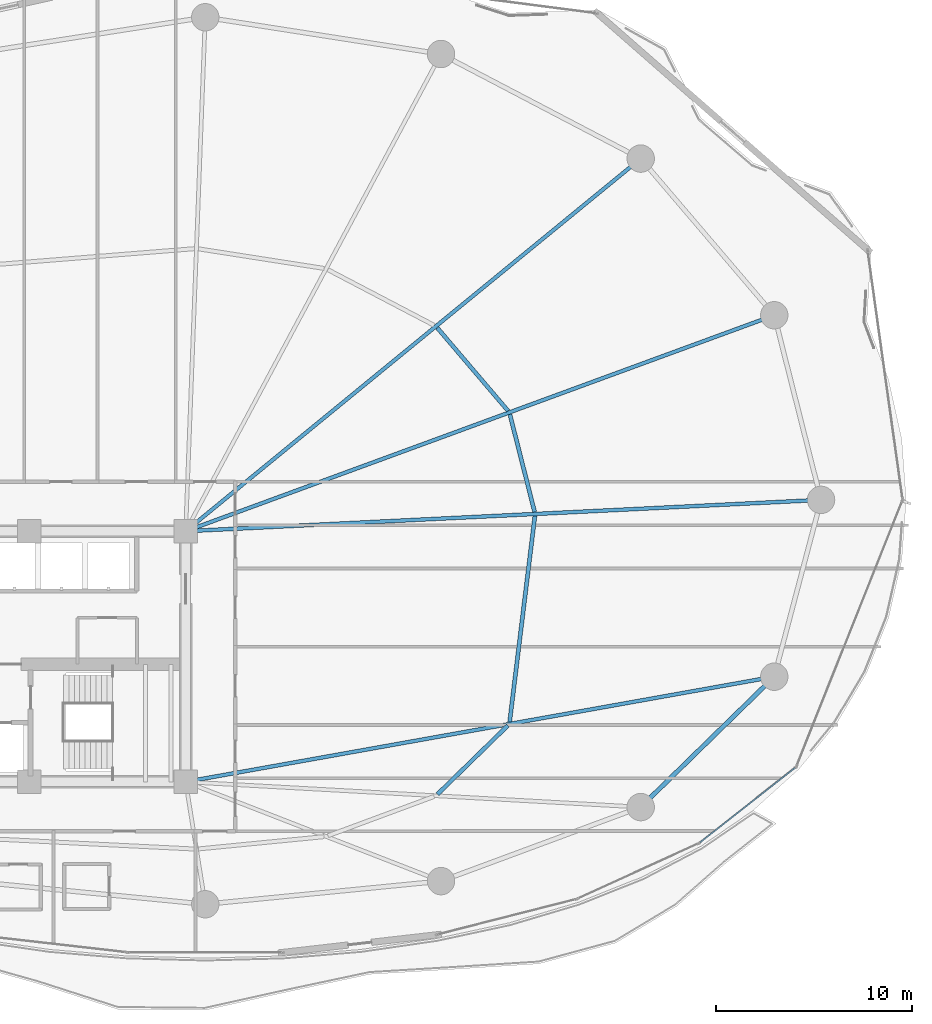
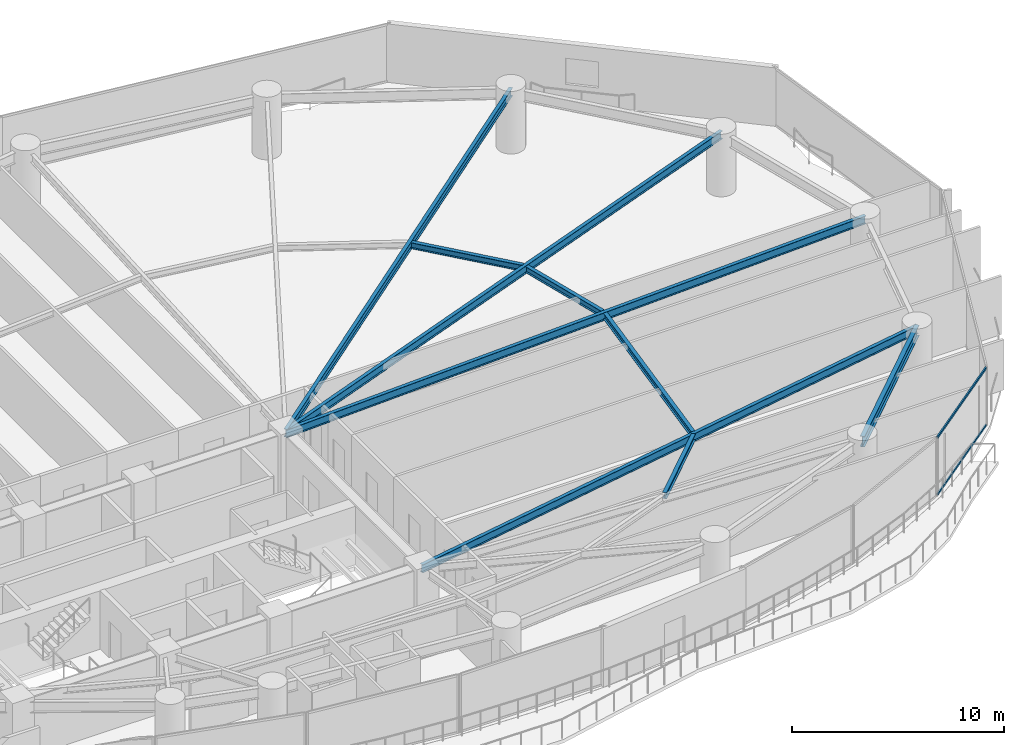
# One storey, part 14 of 32: 9 beams, 2 members, 1 element without a shape of its own.
"""IFC4 building model written with IfcOpenShell, lengths in metres."""

from ifc_helpers import new_model, si_unit, direction, frame, origin, origin_2d, place, context, subcontext, project, spatial, hollow_rectangle, i_section, extrude, material, layer, layer_set, material_profile, profile_set, type_object, element, aggregate, save


model = new_model("IFC4")

# Units and contexts
model_context = context("Model", 3, precision=1e-05, world=origin(), true_north=direction((0.0, 1.0)))
body_context = subcontext(model_context, "Body", "Model", "MODEL_VIEW")
ifc_project = project(units=[si_unit("LENGTHUNIT", "METRE"), si_unit("AREAUNIT", "SQUARE_METRE"), si_unit("VOLUMEUNIT", "CUBIC_METRE"), si_unit("PLANEANGLEUNIT", "RADIAN"), si_unit("MASSUNIT", "GRAM", prefix="KILO")], contexts=[model_context])

# Site, building, storey
site_placement = place(None, origin())
site = spatial("IfcSite", under=ifc_project, at=site_placement, CompositionType="ELEMENT")
building_placement = place(site_placement, origin())
building = spatial("IfcBuilding", under=site, at=building_placement, Name="Kazevale Care Tower and Concert Hall", CompositionType="ELEMENT")
storey_placement = place(building_placement, frame((0.0, 0.0, 38.39990234375)))
storey = spatial("IfcBuildingStorey", under=building, at=storey_placement, Name="L09", CompositionType="ELEMENT", Elevation=38.39990234375)

# Curtain wall, members
ifc_material_1 = material(Name="Aluminium 6063-T6 and Low-E Glass", Category="aluminium")
ifc_layer = layer(ifc_material_1, 0.179931640625)
ifc_layer_set = layer_set([ifc_layer], Name="Aluminium 6063-T6 and Low-E Glass")
curtain_wall_type = type_object("IfcCurtainWallType", Name="Sheltered Concave Balcony Curtain Wall CW-5", PredefinedType="NOTDEFINED", material=ifc_layer_set)
curtain_wall_placement = place(storey_placement, origin())
curtain_wall = element("IfcCurtainWall", 1, at=curtain_wall_placement, inside=storey, type_object=curtain_wall_type, Name="cw:L09:f02", PredefinedType="NOTDEFINED")
ifc_material_2 = material(Name="Aluminium 6063-T6", Category="aluminium")
ifc_material_profile_1 = material_profile(ifc_material_2, hollow_rectangle(XDim=0.074951171875, YDim=0.1201171875, WallThickness=0.00390625, at=origin_2d()), Name="ALU75x120x4")
ifc_profile_set_1 = profile_set([ifc_material_profile_1], Name="Aluminium 6063-T6")
member_type = type_object("IfcMemberType", Name="CW-5 Transom ALU75x120x4", PredefinedType="USERDEFINED", material=ifc_profile_set_1)
member_1_placement = place(storey_placement, frame((75.123046875, 24.317626953125, 0.03759765625), z_axis=(-0.78633897536, -0.617795286344, 0.0), x_axis=(0.617795286344, -0.78633897536, 0.0)))
member_1 = element("IfcMember", 2, at=member_1_placement, type_object=member_type, Name="CW-5 transom 1.1", ObjectType="TRANSOM", PredefinedType="USERDEFINED", context=body_context, shape_type="SweptSolid", body=[
    extrude(hollow_rectangle(XDim=0.074951171875, YDim=0.1201171875, WallThickness=0.00390625, at=origin_2d()), origin(), (0.0, 0.0, 1.0), 6.15771484375),
])
member_2_placement = place(storey_placement, frame((75.123046875, 24.317626953125, 3.322509765625), z_axis=(-0.78633897536, -0.617795286344, 0.0), x_axis=(0.617795286344, -0.78633897536, 0.0)))
member_2 = element("IfcMember", 3, at=member_2_placement, type_object=member_type, Name="CW-5 transom 1.2", ObjectType="TRANSOM", PredefinedType="USERDEFINED", context=body_context, shape_type="SweptSolid", body=[
    extrude(hollow_rectangle(XDim=0.074951171875, YDim=0.1201171875, WallThickness=0.00390625, at=origin_2d()), origin(), (0.0, 0.0, 1.0), 6.15771484375),
])
aggregate(curtain_wall, [member_1, member_2])

# Beams
ifc_material_3 = material(Name="Steel ASTM A572 Gr 50", Category="steel")
ifc_material_profile_2 = material_profile(ifc_material_3, i_section(OverallWidth=0.19091796875, OverallDepth=0.4599609375, WebThickness=0.010009765625, FlangeThickness=0.01611328125, at=origin_2d()), Name="W460x82")
ifc_profile_set_2 = profile_set([ifc_material_profile_2], Name="Steel ASTM A572 Gr 50")
beam_type_1 = type_object("IfcBeamType", Name="Radial Floor Beam W460x82", PredefinedType="BEAM", material=ifc_profile_set_2)
beam_1_placement = place(storey_placement, frame((44.0, 36.39990234375, 3.130126953125), z_axis=(0.998786488782, 0.049249871327, 0.0), x_axis=(-0.049249871327, 0.998786488782, 0.0)))
element("IfcBeam", 4, at=beam_1_placement, inside=storey, type_object=beam_type_1, Name="beam:L09:rad:01", PredefinedType="BEAM", context=body_context, shape_type="SweptSolid", body=[
    extrude(i_section(OverallWidth=0.19091796875, OverallDepth=0.4599609375, WebThickness=0.010009765625, FlangeThickness=0.01611328125, at=origin_2d()), origin(), (0.0, 0.0, 1.0), 32.4892578125),
])
beam_2_placement = place(storey_placement, frame((44.0, 36.39990234375, 3.130126953125), z_axis=(0.938795458019, 0.34447509054, 0.0), x_axis=(-0.34447509054, 0.938795458019, 0.0)))
element("IfcBeam", 5, at=beam_2_placement, inside=storey, type_object=beam_type_1, Name="beam:L09:rad:02", PredefinedType="BEAM", context=body_context, shape_type="SweptSolid", body=[
    extrude(i_section(OverallWidth=0.19091796875, OverallDepth=0.4599609375, WebThickness=0.010009765625, FlangeThickness=0.01611328125, at=origin_2d()), origin(), (0.0, 0.0, 1.0), 32.019775390625),
])
beam_3_placement = place(storey_placement, frame((44.0, 36.39990234375, 3.130126953125), z_axis=(0.773704467398, 0.633546681097, 0.0), x_axis=(-0.633546681097, 0.773704467398, 0.0)))
element("IfcBeam", 6, at=beam_3_placement, inside=storey, type_object=beam_type_1, Name="beam:L09:rad:03", PredefinedType="BEAM", context=body_context, shape_type="SweptSolid", body=[
    extrude(i_section(OverallWidth=0.19091796875, OverallDepth=0.4599609375, WebThickness=0.010009765625, FlangeThickness=0.01611328125, at=origin_2d()), origin(), (0.0, 0.0, 1.0), 30.037353515625),
])
beam_4_placement = place(storey_placement, frame((44.0, 23.60009765625, 3.130126953125), z_axis=(0.984416208219, 0.175854283415, 0.0), x_axis=(-0.175854283415, 0.984416208219, 0.0)))
element("IfcBeam", 7, at=beam_4_placement, inside=storey, type_object=beam_type_1, Name="beam:L09:rad:16", PredefinedType="BEAM", context=body_context, shape_type="SweptSolid", body=[
    extrude(i_section(OverallWidth=0.19091796875, OverallDepth=0.4599609375, WebThickness=0.010009765625, FlangeThickness=0.01611328125, at=origin_2d()), origin(), (0.0, 0.0, 1.0), 30.535888671875),
])
ifc_material_profile_3 = material_profile(ifc_material_3, i_section(OverallWidth=0.22900390625, OverallDepth=0.612060546875, WebThickness=0.011962890625, FlangeThickness=0.01953125, at=origin_2d()), Name="W610x125")
ifc_profile_set_3 = profile_set([ifc_material_profile_3], Name="Steel ASTM A572 Gr 50")
beam_type_2 = type_object("IfcBeamType", Name="Ring Spandrel Beam W610x125", PredefinedType="SPANDREL", material=ifc_profile_set_3)
beam_5_placement = place(storey_placement, frame((67.239990234375, 22.31005859375, 3.05419921875), z_axis=(0.715457453508, 0.698656304788, 0.0), x_axis=(-0.698656304788, 0.715457453508, 0.0)))
element("IfcBeam", 8, at=beam_5_placement, inside=storey, type_object=beam_type_2, Name="beam:L09:ring:15", PredefinedType="SPANDREL", context=body_context, shape_type="SweptSolid", body=[
    extrude(i_section(OverallWidth=0.22900390625, OverallDepth=0.612060546875, WebThickness=0.011962890625, FlangeThickness=0.01953125, at=origin_2d()), origin(), (0.0, 0.0, 1.0), 9.532470703125),
])
ifc_material_profile_4 = material_profile(ifc_material_3, i_section(OverallWidth=0.205078125, OverallDepth=0.35400390625, WebThickness=0.009521484375, FlangeThickness=0.016845703125, at=origin_2d()), Name="W360x79")
ifc_profile_set_4 = profile_set([ifc_material_profile_4], Name="Steel ASTM A572 Gr 50")
beam_type_3 = type_object("IfcBeamType", Name="Secondary Floor Joist W360x79", PredefinedType="JOIST", material=ifc_profile_set_4)
beam_6_placement = place(storey_placement, frame((61.822021484375, 37.382080078125, 3.18310546875), z_axis=(-0.24568570229, 0.969349542575, 0.0), x_axis=(-0.969349542575, -0.24568570229, 0.0)))
element("IfcBeam", 9, at=beam_6_placement, inside=storey, type_object=beam_type_3, Name="beam:L09:joist:01", PredefinedType="JOIST", context=body_context, shape_type="SweptSolid", body=[
    extrude(i_section(OverallWidth=0.205078125, OverallDepth=0.35400390625, WebThickness=0.009521484375, FlangeThickness=0.016845703125, at=origin_2d()), origin(), (0.0, 0.0, 1.0), 5.140380859375),
])
beam_7_placement = place(storey_placement, frame((60.465087890625, 42.5458984375, 3.18310546875), z_axis=(-0.648685510477, 0.761056573783, 0.0), x_axis=(-0.761056573783, -0.648685510477, 0.0)))
element("IfcBeam", 10, at=beam_7_placement, inside=storey, type_object=beam_type_3, Name="beam:L09:joist:02", PredefinedType="JOIST", context=body_context, shape_type="SweptSolid", body=[
    extrude(i_section(OverallWidth=0.205078125, OverallDepth=0.35400390625, WebThickness=0.009521484375, FlangeThickness=0.016845703125, at=origin_2d()), origin(), (0.0, 0.0, 1.0), 5.57275390625),
])
beam_8_placement = place(storey_placement, frame((56.85693359375, 22.964111328125, 3.18310546875), z_axis=(0.715521089339, 0.698591132717, 0.0), x_axis=(-0.698591132717, 0.715521089339, 0.0)))
element("IfcBeam", 11, at=beam_8_placement, inside=storey, type_object=beam_type_3, Name="beam:L09:joist:15", PredefinedType="JOIST", context=body_context, shape_type="SweptSolid", body=[
    extrude(i_section(OverallWidth=0.205078125, OverallDepth=0.35400390625, WebThickness=0.009521484375, FlangeThickness=0.016845703125, at=origin_2d()), origin(), (0.0, 0.0, 1.0), 5.03271484375),
])
beam_9_placement = place(storey_placement, frame((60.5458984375, 26.657958984375, 3.18310546875), z_axis=(0.1216468088, 0.992573450133, 0.0), x_axis=(-0.992573450133, 0.1216468088, 0.0)))
element("IfcBeam", 12, at=beam_9_placement, inside=storey, type_object=beam_type_3, Name="beam:L09:joist:16", PredefinedType="JOIST", context=body_context, shape_type="SweptSolid", body=[
    extrude(i_section(OverallWidth=0.205078125, OverallDepth=0.35400390625, WebThickness=0.009521484375, FlangeThickness=0.016845703125, at=origin_2d()), origin(), (0.0, 0.0, 1.0), 10.5966796875),
])

save(model, "model.ifc")
